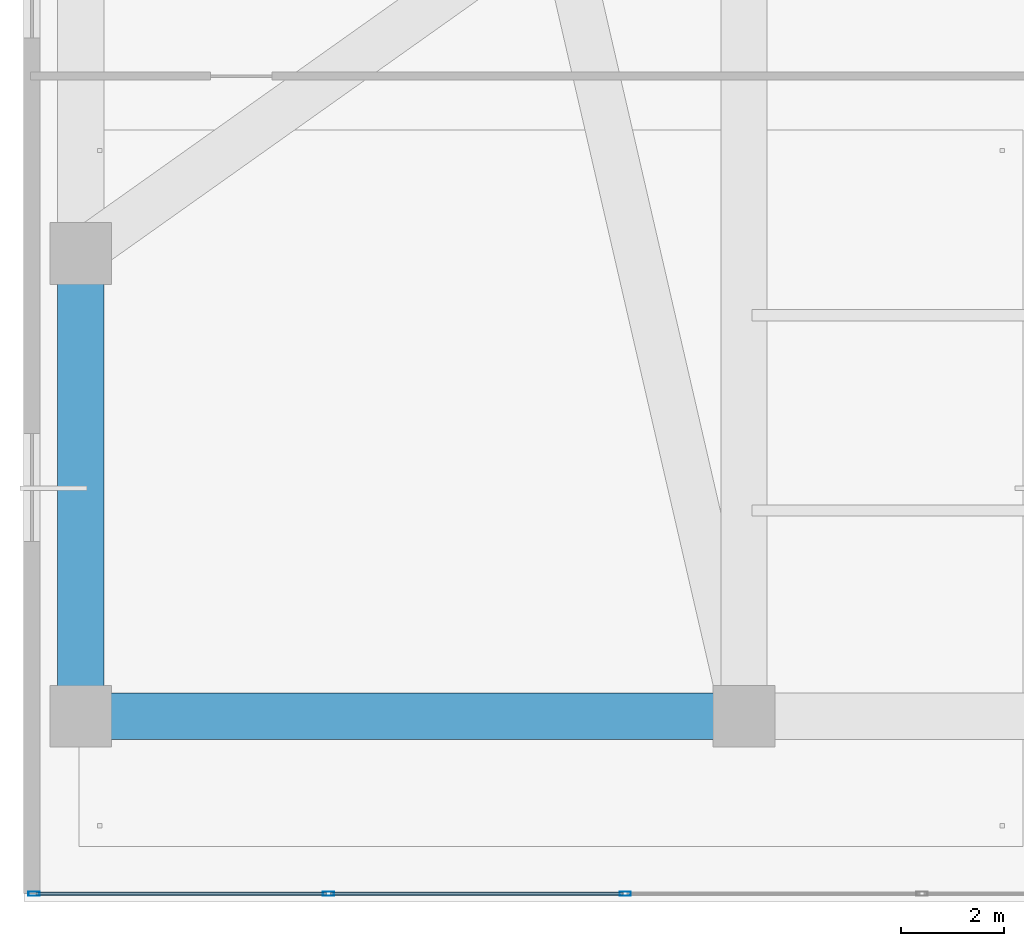
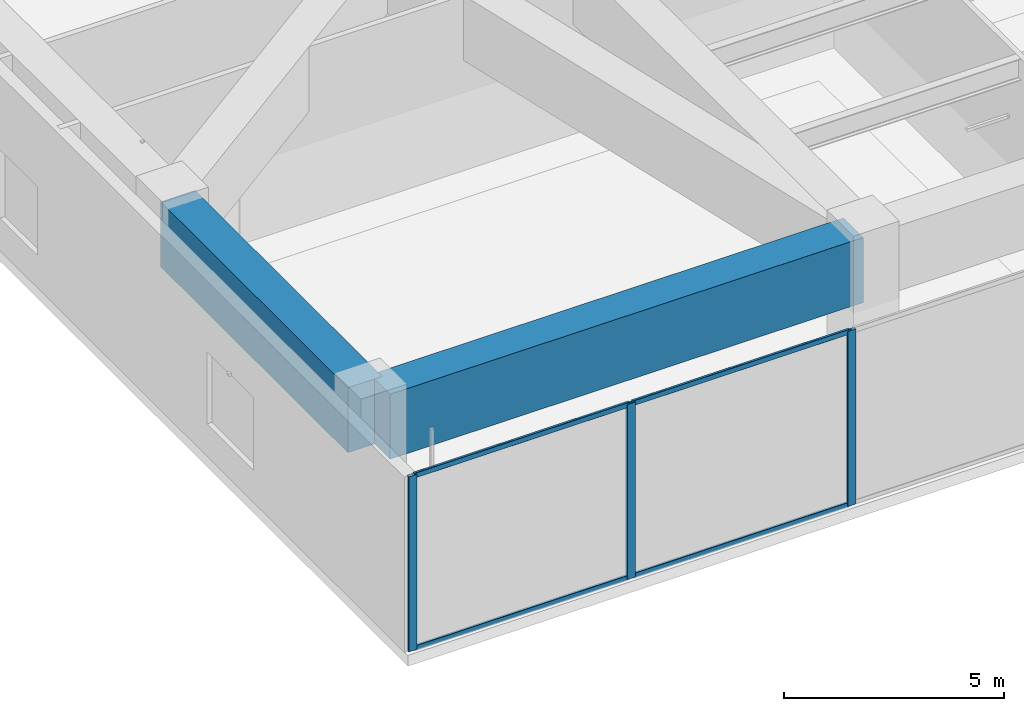
# One storey, part 2 of 21: 7 members, 2 beams, 1 element without a shape of its own.
"""IFC4 building model written with IfcOpenShell, lengths in metres."""

import ifcopenshell
import ifcopenshell.guid

model = None  # the IFC model being written
_history = None  # IfcOwnerHistory: only IFC2X3 demands one
_inside = {}  # id of a spatial element -> (the spatial element, [elements in it])
_under = {}  # id of a project, library or spatial element -> (it, [spatial elements below it])
_declared = {}  # id of a project -> (the project, [libraries it declares])
_typed = {}  # id of a type object -> (the type object, [elements of that type])
_made_of = {}  # id of a material, layer set ... -> (it, [elements and type objects made of it])


def new_model(schema):
    """Start an empty IFC model of exactly this schema.

    Asked for "IFC4X3", IfcOpenShell would pick the latest addendum, in which some entities
    have other attributes; the version numbers below select the first issue.
    IFC2X3 requires an IfcOwnerHistory on every rooted entity: one is made here for all.
    """
    global model, _history
    if schema == "IFC4X3":
        model = ifcopenshell.file(schema_version=(4, 3, 0, 0))
    else:
        model = ifcopenshell.file(schema=schema)
    _inside.clear()
    _under.clear()
    _declared.clear()
    _typed.clear()
    _made_of.clear()
    _history = None
    if model.schema == "IFC2X3":
        org = make("IfcOrganization", Name="unknown")
        user = make(
            "IfcPersonAndOrganization",
            ThePerson=make("IfcPerson", FamilyName="unknown"),
            TheOrganization=org,
        )
        app = make(
            "IfcApplication",
            ApplicationDeveloper=org,
            Version="unknown",
            ApplicationFullName="unknown",
            ApplicationIdentifier="unknown",
        )
        _history = make(
            "IfcOwnerHistory",
            OwningUser=user,
            OwningApplication=app,
            ChangeAction="ADDED",
            CreationDate=0,
        )
    return model


def make(cls, **values):
    """One entity of the class cls with the attributes given. An attribute that is None is left unset."""
    return model.create_entity(
        cls, **{name: value for name, value in values.items() if value is not None}
    )


def rooted(cls, **values):
    """An entity with a GlobalId (a new one), such as an element, a storey or a relation."""
    return make(cls, GlobalId=ifcopenshell.guid.new(), OwnerHistory=_history, **values)


def si_unit(unit_type, name, prefix=None):
    """IfcSIUnit, for example si_unit("LENGTHUNIT", "METRE", prefix="MILLI")."""
    return make("IfcSIUnit", UnitType=unit_type, Prefix=prefix, Name=name)


def assignment(units):
    """IfcUnitAssignment: the units of a project."""
    return None if units is None else make("IfcUnitAssignment", Units=units)


def point(xyz):
    """IfcCartesianPoint."""
    return None if xyz is None else make("IfcCartesianPoint", Coordinates=xyz)


def direction(xyz):
    """IfcDirection."""
    return None if xyz is None else make("IfcDirection", DirectionRatios=xyz)


def frame(location, z_axis=None, x_axis=None):
    """IfcAxis2Placement3D, a coordinate frame: its origin and axes. An axis left out is left unset."""
    return make(
        "IfcAxis2Placement3D",
        Location=point(location),
        Axis=direction(z_axis),
        RefDirection=direction(x_axis),
    )


def frame_2d(location, x_axis=None):
    """IfcAxis2Placement2D, a coordinate frame in the plane: its origin and x axis."""
    return make(
        "IfcAxis2Placement2D", Location=point(location), RefDirection=direction(x_axis)
    )


def origin():
    """The frame at (0, 0, 0) with its axes left unset."""
    return frame((0.0, 0.0, 0.0))


def origin_2d():
    """The frame at (0, 0) in the plane with its x axis left unset."""
    return frame_2d((0.0, 0.0))


def place(relative_to, where):
    """IfcLocalPlacement: puts the frame where relative to a parent placement (None: the world)."""
    return make(
        "IfcLocalPlacement", PlacementRelTo=relative_to, RelativePlacement=where
    )


def context(
    kind, dimensions, precision=None, world=None, true_north=None, identifier=None
):
    """IfcGeometricRepresentationContext, for example the 3D "Model" context."""
    return make(
        "IfcGeometricRepresentationContext",
        ContextIdentifier=identifier,
        ContextType=kind,
        CoordinateSpaceDimension=dimensions,
        Precision=precision,
        WorldCoordinateSystem=world,
        TrueNorth=true_north,
    )


def subcontext(parent, identifier, kind, view, scale=None):
    """IfcGeometricRepresentationSubContext, for example "Body" below "Model"."""
    return make(
        "IfcGeometricRepresentationSubContext",
        ContextIdentifier=identifier,
        ContextType=kind,
        ParentContext=parent,
        TargetScale=scale,
        TargetView=view,
    )


def project(units=None, contexts=None):
    """IfcProject with its units and contexts."""
    return rooted(
        "IfcProject",
        Name="project",
        RepresentationContexts=contexts,
        UnitsInContext=assignment(units),
    )


def spatial(cls, under=None, at=None, **own):
    """A site, building, storey or space (cls), placed at a placement, below another one or the project."""
    s = rooted(cls, ObjectPlacement=at, **own)
    if under is not None:
        _under.setdefault(under.id(), (under, []))[1].append(s)
    return s


def profile(cls, at=None, kind="AREA", **sizes):
    """A parametric profile (cls). Its sizes go by their IFC names, for example OverallWidth=200.0."""
    return make(cls, ProfileType=kind, Position=at, **sizes)


def rectangle(**sizes):
    """IfcRectangleProfileDef."""
    return profile("IfcRectangleProfileDef", **sizes)


def hollow_rectangle(**sizes):
    """IfcRectangleHollowProfileDef."""
    return profile("IfcRectangleHollowProfileDef", **sizes)


def extrude(swept, where, along, depth):
    """IfcExtrudedAreaSolid: the profile swept, set in the frame where, extruded along a direction by depth."""
    return make(
        "IfcExtrudedAreaSolid",
        SweptArea=swept,
        Position=where,
        ExtrudedDirection=direction(along),
        Depth=depth,
    )


def shape(context_of_items, identifier, shape_type, items):
    """IfcShapeRepresentation: the items that make up one representation, for example the "Body"."""
    return make(
        "IfcShapeRepresentation",
        ContextOfItems=context_of_items,
        RepresentationIdentifier=identifier,
        RepresentationType=shape_type,
        Items=items,
    )


def material(Name=None, Category=None):
    """IfcMaterial."""
    return make("IfcMaterial", Name=Name, Category=Category)


def layer(
    of_material, thickness, ventilated=None, Name=None, Category=None, Priority=None
):
    """IfcMaterialLayer: one layer of a wall or slab, of a material (None: an air gap)."""
    return make(
        "IfcMaterialLayer",
        Material=of_material,
        LayerThickness=thickness,
        IsVentilated=ventilated,
        Name=Name,
        Category=Category,
        Priority=Priority,
    )


def layer_set(layers, Name=None):
    """IfcMaterialLayerSet."""
    return make("IfcMaterialLayerSet", MaterialLayers=layers, LayerSetName=Name)


def material_profile(
    of_material, cross_section, Name=None, Category=None, Priority=None
):
    """IfcMaterialProfile: a cross section and its material."""
    return make(
        "IfcMaterialProfile",
        Name=Name,
        Material=of_material,
        Profile=cross_section,
        Priority=Priority,
        Category=Category,
    )


def profile_set(profiles, Name=None, composite=None):
    """IfcMaterialProfileSet."""
    return make(
        "IfcMaterialProfileSet",
        Name=Name,
        MaterialProfiles=profiles,
        CompositeProfile=composite,
    )


def made_of(thing, what):
    """Note that an element or type object is made of a material, layer set ...; save() writes the relation."""
    if what is not None:
        _made_of.setdefault(what.id(), (what, []))[1].append(thing)
    return thing


def type_object(cls, material=None, **own):
    """A type object (cls), such as IfcWallType, which elements share."""
    return made_of(rooted(cls, **own), material)


def element(
    cls,
    number,
    at=None,
    inside=None,
    cuts=None,
    type_object=None,
    material=None,
    context=None,
    identifier="Body",
    shape_type=None,
    held_by="IfcProductDefinitionShape",
    body=None,
    shapes=None,
    **own,
):
    """One element of the class cls, such as IfcWall. Its Tag is "e" and its number.

    at: its placement. inside: the storey or other place that contains it. cuts: it is an
    opening in that element (IfcRelVoidsElement). A single representation is given by context,
    identifier, shape_type and body (its items); several are given by shapes. held_by: the class
    of the entity that holds the representations. save() writes the other relations.
    """
    e = rooted(cls, Tag="e%d" % number, ObjectPlacement=at, **own)
    if body is not None:
        shapes = [shape(context, identifier, shape_type, body)]
    if shapes is not None:
        e.Representation = make(held_by, Representations=shapes)
    if inside is not None:
        _inside.setdefault(inside.id(), (inside, []))[1].append(e)
    if cuts is not None:
        rooted(
            "IfcRelVoidsElement", RelatingBuildingElement=cuts, RelatedOpeningElement=e
        )
    if type_object is not None:
        _typed.setdefault(type_object.id(), (type_object, []))[1].append(e)
    return made_of(e, material)


def aggregate(whole, parts):
    """IfcRelAggregates: a whole, such as a stair, and the parts it consists of."""
    return rooted("IfcRelAggregates", RelatingObject=whole, RelatedObjects=parts)


def save(model, path):
    """Write the relations noted so far, then the file.

    IfcRelAggregates (storeys below a building ...), IfcRelContainedInSpatialStructure (elements
    in a storey), IfcRelDefinesByType, IfcRelAssociatesMaterial and IfcRelDeclares: one each for
    every whole, place, type object, material and project.
    """
    for whole, parts in _under.values():
        aggregate(whole, parts)
    for where, things in _inside.values():
        rooted(
            "IfcRelContainedInSpatialStructure",
            RelatedElements=things,
            RelatingStructure=where,
        )
    for kind, things in _typed.values():
        rooted("IfcRelDefinesByType", RelatedObjects=things, RelatingType=kind)
    for what, things in _made_of.values():
        rooted("IfcRelAssociatesMaterial", RelatedObjects=things, RelatingMaterial=what)
    for by, libraries in _declared.values():
        rooted("IfcRelDeclares", RelatingContext=by, RelatedDefinitions=libraries)
    model.write(path)


model = new_model("IFC4")

# Units and contexts
model_context = context("Model", 3, precision=1e-05, world=origin(), true_north=direction((0.0, 1.0)))
body_context = subcontext(model_context, "Body", "Model", "MODEL_VIEW")
ifc_project = project(units=[si_unit("LENGTHUNIT", "METRE"), si_unit("AREAUNIT", "SQUARE_METRE"), si_unit("VOLUMEUNIT", "CUBIC_METRE"), si_unit("PLANEANGLEUNIT", "RADIAN"), si_unit("MASSUNIT", "GRAM", prefix="KILO")], contexts=[model_context])

# Site, building, storey
site_placement = place(None, origin())
site = spatial("IfcSite", under=ifc_project, at=site_placement, CompositionType="ELEMENT")
building_placement = place(site_placement, origin())
building = spatial("IfcBuilding", under=site, at=building_placement, Name="Tarnavaz Court Tower", CompositionType="ELEMENT")
storey_placement = place(building_placement, frame((0.0, 0.0, 18.89990234375)))
storey = spatial("IfcBuildingStorey", under=building, at=storey_placement, Name="L04", CompositionType="ELEMENT", Elevation=18.89990234375)

# Beams
ifc_material_1 = material(Name="Concrete C50/60", Category="concrete")
ifc_material_profile_1 = material_profile(ifc_material_1, rectangle(XDim=0.89990234375, YDim=1.800048828125, at=origin_2d()), Name="RC 900X1800")
ifc_profile_set_1 = profile_set([ifc_material_profile_1], Name="Concrete C50/60")
beam_type = type_object("IfcBeamType", Name="BM-TG1800", PredefinedType="USERDEFINED", material=ifc_profile_set_1)
beam_1_placement = place(storey_placement, frame((-27.64990234375, -22.800048828125, 3.9501953125), z_axis=(1.0, 0.0, 0.0), x_axis=(0.0, 1.0, 0.0)))
element("IfcBeam", 1, at=beam_1_placement, inside=storey, type_object=beam_type, Name="L04 Beam PM-PM-SW-PM-S1", ObjectType="GIRDER", PredefinedType="USERDEFINED", context=body_context, shape_type="SweptSolid", body=[
    extrude(rectangle(XDim=0.89990234375, YDim=1.800048828125, at=origin_2d()), origin(), (0.0, 0.0, 1.0), 12.39990234375),
])
beam_2_placement = place(storey_placement, frame((-27.89990234375, -22.550048828125, 3.9501953125), z_axis=(0.0, 1.0, 0.0), x_axis=(-1.0, 0.0, 0.0)))
element("IfcBeam", 2, at=beam_2_placement, inside=storey, type_object=beam_type, Name="L04 Beam PM-PM-SW-PM-W1", ObjectType="GIRDER", PredefinedType="USERDEFINED", context=body_context, shape_type="SweptSolid", body=[
    extrude(rectangle(XDim=0.89990234375, YDim=1.800048828125, at=origin_2d()), origin(), (0.0, 0.0, 1.0), 8.5),
])

# Curtain wall, members
ifc_material_2 = material(Name="Anodised Aluminium 6063-T6 and Solar Low-E Glazing", Category="aluminium")
ifc_layer = layer(ifc_material_2, 0.18994140625)
ifc_layer_set = layer_set([ifc_layer], Name="Anodised Aluminium 6063-T6 and Solar Low-E Glazing")
curtain_wall_type = type_object("IfcCurtainWallType", Name="CW-SYS-01", PredefinedType="NOTDEFINED", material=ifc_layer_set)
curtain_wall_placement = place(storey_placement, origin())
curtain_wall = element("IfcCurtainWall", 3, at=curtain_wall_placement, inside=storey, type_object=curtain_wall_type, Name="L04 Clinic South Curtain Wall 3", PredefinedType="NOTDEFINED")
ifc_material_3 = material(Name="Anodised Aluminium 6063-T6", Category="aluminium")
ifc_material_profile_2 = material_profile(ifc_material_3, hollow_rectangle(XDim=0.0849609375, YDim=0.219970703125, WallThickness=0.006103515625, InnerFilletRadius=0.006103515625, OuterFilletRadius=0.011962890625, at=origin_2d()), Name="ALU RHS 220X85X6")
ifc_profile_set_2 = profile_set([ifc_material_profile_2], Name="Anodised Aluminium 6063-T6")
member_type_1 = type_object("IfcMemberType", Name="CW-MUL-220", PredefinedType="MULLION", material=ifc_profile_set_2)
member_1_placement = place(storey_placement, frame((-17.31005859375, -26.25, 0.0), z_axis=(0.0, 0.0, 1.0), x_axis=(0.0, -1.0, 0.0)))
member_1 = element("IfcMember", 4, at=member_1_placement, type_object=member_type_1, Name="CW mullion 9", PredefinedType="MULLION", context=body_context, shape_type="SweptSolid", body=[
    extrude(hollow_rectangle(XDim=0.0849609375, YDim=0.219970703125, WallThickness=0.006103515625, InnerFilletRadius=0.006103515625, OuterFilletRadius=0.011962890625, at=origin_2d()), origin(), (0.0, 0.0, 1.0), 4.85009765625),
])
member_2_placement = place(storey_placement, frame((-23.080078125, -26.25, 0.0), z_axis=(0.0, 0.0, 1.0), x_axis=(0.0, -1.0, 0.0)))
member_2 = element("IfcMember", 5, at=member_2_placement, type_object=member_type_1, Name="CW mullion 10", PredefinedType="MULLION", context=body_context, shape_type="SweptSolid", body=[
    extrude(hollow_rectangle(XDim=0.0849609375, YDim=0.219970703125, WallThickness=0.006103515625, InnerFilletRadius=0.006103515625, OuterFilletRadius=0.011962890625, at=origin_2d()), origin(), (0.0, 0.0, 1.0), 4.85009765625),
])
member_3_placement = place(storey_placement, frame((-28.8076171875, -26.25, 0.0), z_axis=(0.0, 0.0, 1.0), x_axis=(0.0, -1.0, 0.0)))
member_3 = element("IfcMember", 6, at=member_3_placement, type_object=member_type_1, Name="CW mullion 11", PredefinedType="MULLION", context=body_context, shape_type="SweptSolid", body=[
    extrude(hollow_rectangle(XDim=0.0849609375, YDim=0.219970703125, WallThickness=0.006103515625, InnerFilletRadius=0.006103515625, OuterFilletRadius=0.011962890625, at=origin_2d()), origin(), (0.0, 0.0, 1.0), 4.85009765625),
])
ifc_material_profile_3 = material_profile(ifc_material_3, hollow_rectangle(XDim=0.06494140625, YDim=0.139892578125, WallThickness=0.00390625, InnerFilletRadius=0.00390625, OuterFilletRadius=0.008056640625, at=origin_2d()), Name="ALU RHS 140X65X4")
ifc_profile_set_3 = profile_set([ifc_material_profile_3], Name="Anodised Aluminium 6063-T6")
member_type_2 = type_object("IfcMemberType", Name="CW-TRN-140", PredefinedType="USERDEFINED", material=ifc_profile_set_3)
member_4_placement = place(storey_placement, frame((-17.3525390625, -26.25, 0.03271484375), z_axis=(-1.0, 0.0, 0.0), x_axis=(0.0, -1.0, 0.0)))
member_4 = element("IfcMember", 7, at=member_4_placement, type_object=member_type_2, Name="CW transom 9.1", ObjectType="TRANSOM", PredefinedType="USERDEFINED", context=body_context, shape_type="SweptSolid", body=[
    extrude(hollow_rectangle(XDim=0.06494140625, YDim=0.139892578125, WallThickness=0.00390625, InnerFilletRadius=0.00390625, OuterFilletRadius=0.008056640625, at=origin_2d()), origin(), (0.0, 0.0, 1.0), 5.68505859375),
])
member_5_placement = place(storey_placement, frame((-17.3525390625, -26.25, 4.817626953125), z_axis=(-1.0, 0.0, 0.0), x_axis=(0.0, -1.0, 0.0)))
member_5 = element("IfcMember", 8, at=member_5_placement, type_object=member_type_2, Name="CW transom 9.2", ObjectType="TRANSOM", PredefinedType="USERDEFINED", context=body_context, shape_type="SweptSolid", body=[
    extrude(hollow_rectangle(XDim=0.06494140625, YDim=0.139892578125, WallThickness=0.00390625, InnerFilletRadius=0.00390625, OuterFilletRadius=0.008056640625, at=origin_2d()), origin(), (0.0, 0.0, 1.0), 5.68505859375),
])
member_6_placement = place(storey_placement, frame((-23.12255859375, -26.25, 0.03271484375), z_axis=(-1.0, 0.0, 0.0), x_axis=(0.0, -1.0, 0.0)))
member_6 = element("IfcMember", 9, at=member_6_placement, type_object=member_type_2, Name="CW transom 10.1", ObjectType="TRANSOM", PredefinedType="USERDEFINED", context=body_context, shape_type="SweptSolid", body=[
    extrude(hollow_rectangle(XDim=0.06494140625, YDim=0.139892578125, WallThickness=0.00390625, InnerFilletRadius=0.00390625, OuterFilletRadius=0.008056640625, at=origin_2d()), origin(), (0.0, 0.0, 1.0), 5.642333984375),
])
member_7_placement = place(storey_placement, frame((-23.12255859375, -26.25, 4.817626953125), z_axis=(-1.0, 0.0, 0.0), x_axis=(0.0, -1.0, 0.0)))
member_7 = element("IfcMember", 10, at=member_7_placement, type_object=member_type_2, Name="CW transom 10.2", ObjectType="TRANSOM", PredefinedType="USERDEFINED", context=body_context, shape_type="SweptSolid", body=[
    extrude(hollow_rectangle(XDim=0.06494140625, YDim=0.139892578125, WallThickness=0.00390625, InnerFilletRadius=0.00390625, OuterFilletRadius=0.008056640625, at=origin_2d()), origin(), (0.0, 0.0, 1.0), 5.642333984375),
])
aggregate(curtain_wall, [member_1, member_2, member_3, member_4, member_5, member_6, member_7])

save(model, "model.ifc")
